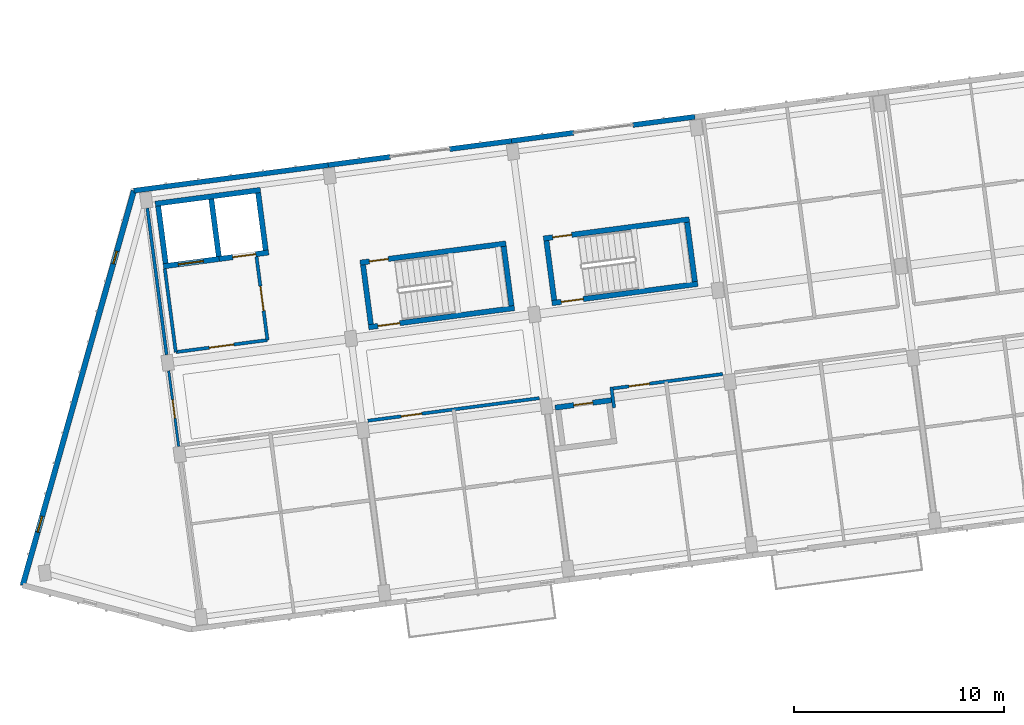
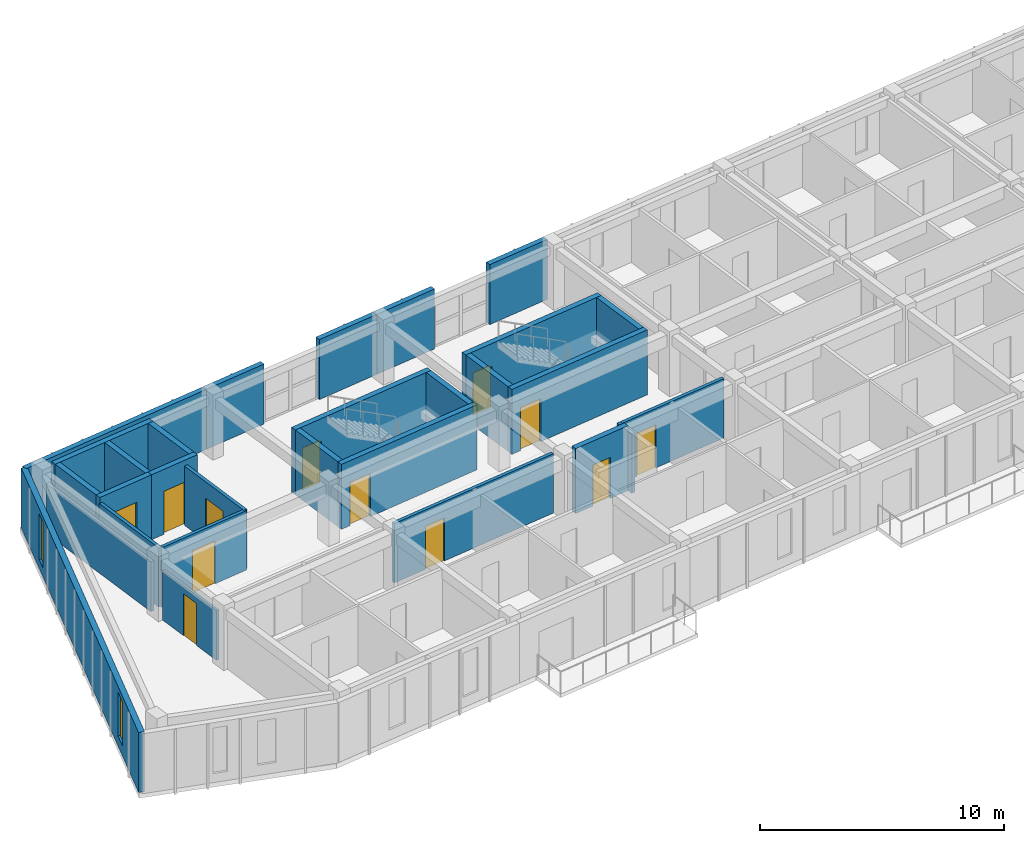
# One storey, part 22 of 68: 29 walls, 12 doors, 2 windows, 14 openings.
"""IFC4 building model written with IfcOpenShell, lengths in metres."""

from ifc_helpers import new_model, si_unit, direction, frame, frame_2d, origin, place, context, subcontext, project, spatial, rectangle, extrude, material, layer, layer_set, type_object, element, fill, save


model = new_model("IFC4")

# Units and contexts
model_context = context("Model", 3, precision=1e-05, world=origin(), true_north=direction((0.0, 1.0)))
body_context = subcontext(model_context, "Body", "Model", "MODEL_VIEW")
ifc_project = project(units=[si_unit("LENGTHUNIT", "METRE"), si_unit("AREAUNIT", "SQUARE_METRE"), si_unit("VOLUMEUNIT", "CUBIC_METRE"), si_unit("PLANEANGLEUNIT", "RADIAN"), si_unit("MASSUNIT", "GRAM", prefix="KILO")], contexts=[model_context])

# Site, building, storey
site_placement = place(None, origin())
site = spatial("IfcSite", under=ifc_project, at=site_placement, CompositionType="ELEMENT")
building_placement = place(site_placement, origin())
building = spatial("IfcBuilding", under=site, at=building_placement, Name="Kestramere Prow Commons", CompositionType="ELEMENT")
storey_placement = place(building_placement, frame((0.0, 0.0, 18.14990234375)))
storey = spatial("IfcBuildingStorey", under=building, at=storey_placement, Name="L05", CompositionType="ELEMENT", Elevation=18.14990234375)

# Wall, openings, windows
ifc_material_1 = material(Name="Weathered Zinc-Titanium Standing-Seam Cladding")
ifc_layer_1 = layer(ifc_material_1, 0.260009765625)
ifc_layer_set_1 = layer_set([ifc_layer_1], Name="Weathered Zinc-Titanium Standing-Seam Cladding")
wall_type_1 = type_object("IfcWallType", Name="EW-PROW-260", PredefinedType="SOLIDWALL", material=ifc_layer_set_1)
wall_1_placement = place(storey_placement, frame((2.7109375, 73.5048828125, 0.0), z_axis=(0.0, 0.0, 1.0), x_axis=(0.271165263368, 0.962532804606, 0.0)))
wall_1 = element("IfcWall", 1, at=wall_1_placement, inside=storey, type_object=wall_type_1, Name="Block A L05 PRW-N Facet Wall", PredefinedType="SOLIDWALL", context=body_context, shape_type="SweptSolid", body=[
    extrude(rectangle(XDim=19.5068359375, YDim=0.260009765625, at=frame_2d((9.75341796875, 0.0))), origin(), (0.0, 0.0, 1.0), 3.0),
])
opening_1_placement = place(wall_1_placement, frame((2.6298828125, 0.0, 0.52001953125)))
opening_1 = element("IfcOpeningElement", 2, at=opening_1_placement, cuts=wall_1, Name="Opening WN-11", PredefinedType="OPENING", context=body_context, shape_type="SweptSolid", body=[
    extrude(rectangle(XDim=0.780029296875, YDim=2.199951171875, at=frame_2d((0.39013671875, 1.10009765625))), frame((0.0, 0.14501953125, 0.0), z_axis=(0.0, -1.0, 0.0), x_axis=(1.0, 0.0, 0.0)), (0.0, 0.0, 1.0), 0.2900390625),
])
opening_2_placement = place(wall_1_placement, frame((15.89697265625, 0.0, 0.449951171875)))
opening_2 = element("IfcOpeningElement", 3, at=opening_2_placement, cuts=wall_1, Name="Opening WN-03", PredefinedType="OPENING", context=body_context, shape_type="SweptSolid", body=[
    extrude(rectangle(XDim=0.6201171875, YDim=2.280029296875, at=frame_2d((0.31005859375, 1.14013671875))), frame((0.0, 0.14501953125, 0.0), z_axis=(0.0, -1.0, 0.0), x_axis=(1.0, 0.0, 0.0)), (0.0, 0.0, 1.0), 0.2900390625),
])
ifc_material_2 = material(Name="Low-E Laminated Double Glazing", Category="glass")
window_type_1 = type_object("IfcWindowType", Name="WN-NAR-620A", PartitioningType="SINGLE_PANEL", PredefinedType="WINDOW", material=ifc_material_2)
window_1_placement = place(opening_2_placement, origin())
window_1 = element("IfcWindow", 4, at=window_1_placement, inside=storey, type_object=window_type_1, Name="WN-A-L05-PRW-N-1", OverallHeight=2.280029296875, OverallWidth=0.6201171875, PartitioningType="SINGLE_PANEL", PredefinedType="WINDOW", context=body_context, shape_type="SweptSolid", body=[
    extrude(rectangle(XDim=0.6201171875, YDim=2.280029296875, at=frame_2d((0.31005859375, 1.14013671875))), frame((0.0, 0.030029296875, 0.0), z_axis=(0.0, -1.0, 0.0), x_axis=(1.0, 0.0, 0.0)), (0.0, 0.0, 1.0), 0.06005859375),
])
fill(opening_2, window_1)
window_type_2 = type_object("IfcWindowType", Name="WN-NAR-780A", PartitioningType="SINGLE_PANEL", PredefinedType="WINDOW", material=ifc_material_2)
window_2_placement = place(opening_1_placement, origin())
window_2 = element("IfcWindow", 5, at=window_2_placement, inside=storey, type_object=window_type_2, Name="WN-A-L05-PRW-N-0", OverallHeight=2.199951171875, OverallWidth=0.780029296875, PartitioningType="SINGLE_PANEL", PredefinedType="WINDOW", context=body_context, shape_type="SweptSolid", body=[
    extrude(rectangle(XDim=0.780029296875, YDim=2.199951171875, at=frame_2d((0.39013671875, 1.10009765625))), frame((0.0, 0.030029296875, 0.0), z_axis=(0.0, -1.0, 0.0), x_axis=(1.0, 0.0, 0.0)), (0.0, 0.0, 1.0), 0.06005859375),
])
fill(opening_1, window_2)

# Walls
ifc_material_3 = material(Name="Fluoropolymer Standing-Seam Zinc-Aluminium Cladding", Category="aluminium")
ifc_layer_2 = layer(ifc_material_3, 0.239990234375)
ifc_layer_set_2 = layer_set([ifc_layer_2], Name="Fluoropolymer Standing-Seam Zinc-Aluminium Cladding")
wall_type_2 = type_object("IfcWallType", Name="EW-SEAM-240", PredefinedType="SOLIDWALL", material=ifc_layer_set_2)
wall_2_placement = place(storey_placement, frame((8.00048828125, 92.28076171875, 0.0), z_axis=(0.0, 0.0, 1.0), x_axis=(0.991442885224, 0.130541201693, 0.0)))
element("IfcWall", 6, at=wall_2_placement, inside=storey, type_object=wall_type_2, Name="Block A L05 North Standing-Seam Wall 1", PredefinedType="SOLIDWALL", context=body_context, shape_type="SweptSolid", body=[
    extrude(rectangle(XDim=9.324951171875, YDim=0.239990234375, at=frame_2d((4.66259765625, 0.0))), origin(), (0.0, 0.0, 1.0), 3.0),
])
for number, where, z_axis, x_axis, name in (
    (7, (17.24560546875, 93.498046875, 0.0), (0.0, 0.0, 1.0), (0.991451502252, 0.130475739826, 0.0), "Block A L05 North Standing-Seam Pier 2L"),
    (8, (23.020751953125, 94.25830078125, 0.0), (0.0, 0.0, 1.0), (0.991440883744, 0.130556401758, 0.0), "Block A L05 North Standing-Seam Pier 2R"),
):
    element("IfcWall", number, at=place(storey_placement, frame(where, z_axis=z_axis, x_axis=x_axis)), inside=storey, type_object=wall_type_2, Name=name, PredefinedType="SOLIDWALL", context=body_context, shape_type="SweptSolid", body=[
        extrude(rectangle(XDim=2.97509765625, YDim=0.239990234375, at=frame_2d((1.487548828125, 0.0))), origin(), (0.0, 0.0, 1.0), 3.0),
    ])
for number, where, z_axis, x_axis, name in (
    (9, (25.970458984375, 94.646728515625, 0.0), (0.0, 0.0, 1.0), (0.991450105095, 0.130486356022, 0.0), "Block A L05 North Standing-Seam Pier 3L"),
    (10, (31.74560546875, 95.406982421875, 0.0), (0.0, 0.0, 1.0), (0.991439484875, 0.130567024289, 0.0), "Block A L05 North Standing-Seam Pier 3R"),
):
    element("IfcWall", number, at=place(storey_placement, frame(where, z_axis=z_axis, x_axis=x_axis)), inside=storey, type_object=wall_type_2, Name=name, PredefinedType="SOLIDWALL", context=body_context, shape_type="SweptSolid", body=[
        extrude(rectangle(XDim=2.974853515625, YDim=0.239990234375, at=frame_2d((1.4873046875, 0.0))), origin(), (0.0, 0.0, 1.0), 3.0),
    ])
ifc_material_4 = material(Name="Concrete C40/50", Category="concrete")
ifc_layer_3 = layer(ifc_material_4, 0.25)
ifc_layer_set_3 = layer_set([ifc_layer_3], Name="Concrete C40/50")
wall_type_3 = type_object("IfcWallType", Name="W-CORE-250", PredefinedType="SHEAR", material=ifc_layer_set_3)
wall_3_placement = place(storey_placement, frame((9.015380859375, 91.657958984375, 0.0), z_axis=(0.0, 0.0, 1.0), x_axis=(0.991444419808, 0.130529546201, 0.0)))
element("IfcWall", 11, at=wall_3_placement, inside=storey, type_object=wall_type_3, Name="Block A L05 Lift Core Back Wall", PredefinedType="SHEAR", context=body_context, shape_type="SweptSolid", body=[
    extrude(rectangle(XDim=5.050048828125, YDim=0.25, at=frame_2d((2.52490234375, 0.0))), origin(), (0.0, 0.0, 1.0), 3.25),
])

# Wall, opening, door
wall_4_placement = place(storey_placement, frame((9.406982421875, 88.68359375, 0.0), z_axis=(0.0, 0.0, 1.0), x_axis=(0.991434713833, 0.130603247307, 0.0)))
wall_4 = element("IfcWall", 12, at=wall_4_placement, inside=storey, type_object=wall_type_3, Name="Block A L05 Fire Lift Shaft Front Wall", PredefinedType="SHEAR", context=body_context, shape_type="SweptSolid", body=[
    extrude(rectangle(XDim=2.675048828125, YDim=0.25, at=frame_2d((1.33740234375, 0.0))), origin(), (0.0, 0.0, 1.0), 3.25),
])
opening_3_placement = place(wall_4_placement, frame((0.719970703125, 0.0, 0.0)))
opening_3 = element("IfcOpeningElement", 13, at=opening_3_placement, cuts=wall_4, Name="Opening LD-02", PredefinedType="OPENING", context=body_context, shape_type="SweptSolid", body=[
    extrude(rectangle(XDim=1.199951171875, YDim=2.199951171875, at=frame_2d((0.60009765625, 1.10009765625))), frame((0.0, 0.139892578125, 0.0), z_axis=(0.0, -1.0, 0.0), x_axis=(1.0, 0.0, 0.0)), (0.0, 0.0, 1.0), 0.280029296875),
])
ifc_material_5 = material(Name="Brushed Stainless Steel 316", Category="steel")
door_type_1 = type_object("IfcDoorType", Name="LD-02", OperationType="DOUBLE_DOOR_SLIDING", PredefinedType="DOOR", material=ifc_material_5)
door_1_placement = place(opening_3_placement, origin())
door_1 = element("IfcDoor", 14, at=door_1_placement, inside=storey, type_object=door_type_1, Name="FL-A1 L05 Lift Landing Door", OperationType="DOUBLE_DOOR_SLIDING", OverallHeight=2.199951171875, OverallWidth=1.199951171875, PredefinedType="DOOR", context=body_context, shape_type="SweptSolid", body=[
    extrude(rectangle(XDim=1.199951171875, YDim=2.199951171875, at=frame_2d((0.60009765625, 1.10009765625))), frame((0.0, 0.02490234375, 0.0), z_axis=(0.0, -1.0, 0.0), x_axis=(1.0, 0.0, 0.0)), (0.0, 0.0, 1.0), 0.050048828125),
])
fill(opening_3, door_1)

wall_5_placement = place(storey_placement, frame((12.05908203125, 89.032958984375, 0.0), z_axis=(0.0, 0.0, 1.0), x_axis=(0.99145534515, 0.130446535303, 0.0)))
wall_5 = element("IfcWall", 15, at=wall_5_placement, inside=storey, type_object=wall_type_3, Name="Block A L05 Passenger Lift Shaft Front Wall", PredefinedType="SHEAR", context=body_context, shape_type="SweptSolid", body=[
    extrude(rectangle(XDim=2.375, YDim=0.25, at=frame_2d((1.1875, 0.0))), origin(), (0.0, 0.0, 1.0), 3.25),
])
opening_4_placement = place(wall_5_placement, frame((0.64990234375, 0.0, 0.0)))
opening_4 = element("IfcOpeningElement", 16, at=opening_4_placement, cuts=wall_5, Name="Opening LD-01", PredefinedType="OPENING", context=body_context, shape_type="SweptSolid", body=[
    extrude(rectangle(XDim=1.10009765625, YDim=2.14990234375, at=frame_2d((0.550048828125, 1.074951171875))), frame((0.0, 0.139892578125, 0.0), z_axis=(0.0, -1.0, 0.0), x_axis=(1.0, 0.0, 0.0)), (0.0, 0.0, 1.0), 0.280029296875),
])
ifc_material_6 = material(Name="Brushed Stainless Steel 304", Category="steel")
door_type_2 = type_object("IfcDoorType", Name="LD-01", OperationType="DOUBLE_DOOR_SLIDING", PredefinedType="DOOR", material=ifc_material_6)
door_2_placement = place(opening_4_placement, origin())
door_2 = element("IfcDoor", 17, at=door_2_placement, inside=storey, type_object=door_type_2, Name="PL-A2 L05 Lift Landing Door", OperationType="DOUBLE_DOOR_SLIDING", OverallHeight=2.14990234375, OverallWidth=1.10009765625, PredefinedType="DOOR", context=body_context, shape_type="SweptSolid", body=[
    extrude(rectangle(XDim=1.10009765625, YDim=2.14990234375, at=frame_2d((0.550048828125, 1.074951171875))), frame((0.0, 0.02490234375, 0.0), z_axis=(0.0, -1.0, 0.0), x_axis=(1.0, 0.0, 0.0)), (0.0, 0.0, 1.0), 0.050048828125),
])
fill(opening_4, door_2)

# Walls
for number, where, z_axis, x_axis, name in (
    (18, (9.5146484375, 88.823974609375, 0.0), (0.0, 0.0, 1.0), (-0.130500441374, 0.991448251197, 0.0), "Block A L05 Lift Core Side Wall L"),
    (19, (12.042724609375, 89.15673828125, 0.0), (0.0, 0.0, 1.0), (-0.130500441374, 0.991448251197, 0.0), "Block A L05 Lift Core Side Wall M"),
    (20, (14.2734375, 89.450439453125, 0.0), (0.0, 0.0, 1.0), (-0.130500441374, 0.991448251197, 0.0), "Block A L05 Lift Core Side Wall R"),
):
    element("IfcWall", number, at=place(storey_placement, frame(where, z_axis=z_axis, x_axis=x_axis)), inside=storey, type_object=wall_type_3, Name=name, PredefinedType="SHEAR", context=body_context, shape_type="SweptSolid", body=[
        extrude(rectangle(XDim=2.75, YDim=0.25, at=frame_2d((1.375, 0.0))), origin(), (0.0, 0.0, 1.0), 3.25),
    ])

# Wall, opening, door
wall_6_placement = place(storey_placement, frame((18.764404296875, 88.856689453125, 0.0), z_axis=(0.0, 0.0, 1.0), x_axis=(0.991447052715, 0.13050954625, 0.0)))
wall_6 = element("IfcWall", 21, at=wall_6_placement, inside=storey, type_object=wall_type_3, Name="ST-A1 L05 North Shaft Wall", PredefinedType="SHEAR", context=body_context, shape_type="SweptSolid", body=[
    extrude(rectangle(XDim=7.0, YDim=0.25, at=frame_2d((3.5, 0.0))), origin(), (0.0, 0.0, 1.0), 3.25),
])
opening_5_placement = place(wall_6_placement, frame((0.449951171875, 0.0, 0.0)))
opening_5 = element("IfcOpeningElement", 22, at=opening_5_placement, cuts=wall_6, Name="Opening ID-08", PredefinedType="OPENING", context=body_context, shape_type="SweptSolid", body=[
    extrude(rectangle(XDim=0.89990234375, YDim=2.10009765625, at=frame_2d((0.449951171875, 1.050048828125))), frame((0.0, 0.139892578125, 0.0), z_axis=(0.0, -1.0, 0.0), x_axis=(1.0, 0.0, 0.0)), (0.0, 0.0, 1.0), 0.280029296875),
])
ifc_material_7 = material(Name="Engineered Timber Flush Door", Category="wood")
door_type_3 = type_object("IfcDoorType", Name="D-RM-01", OperationType="NOTDEFINED", PredefinedType="DOOR", material=ifc_material_7)
door_3_placement = place(opening_5_placement, origin())
door_3 = element("IfcDoor", 23, at=door_3_placement, inside=storey, type_object=door_type_3, Name="ST-A1 L05 North Room Door", OperationType="SINGLE_SWING_RIGHT", OverallHeight=2.10009765625, OverallWidth=0.89990234375, PredefinedType="DOOR", context=body_context, shape_type="SweptSolid", body=[
    extrude(rectangle(XDim=0.89990234375, YDim=2.10009765625, at=frame_2d((0.449951171875, 1.050048828125))), frame((0.0, 0.02490234375, 0.0), z_axis=(0.0, -1.0, 0.0), x_axis=(1.0, 0.0, 0.0)), (0.0, 0.0, 1.0), 0.050048828125),
])
fill(opening_5, door_3)

wall_7_placement = place(storey_placement, frame((19.169189453125, 85.783203125, 0.0), z_axis=(0.0, 0.0, 1.0), x_axis=(0.991446458634, 0.130514059249, 0.0)))
wall_7 = element("IfcWall", 24, at=wall_7_placement, inside=storey, type_object=wall_type_3, Name="ST-A1 L05 Corridor Shaft Wall", PredefinedType="SHEAR", context=body_context, shape_type="SweptSolid", body=[
    extrude(rectangle(XDim=6.999755859375, YDim=0.25, at=frame_2d((3.5, 0.0))), origin(), (0.0, 0.0, 1.0), 3.25),
])
opening_6_placement = place(wall_7_placement, frame((0.449951171875, 0.0, 0.0)))
opening_6 = element("IfcOpeningElement", 25, at=opening_6_placement, cuts=wall_7, Name="Opening ID-01", PredefinedType="OPENING", context=body_context, shape_type="SweptSolid", body=[
    extrude(rectangle(XDim=1.050048828125, YDim=2.14990234375, at=frame_2d((0.52490234375, 1.074951171875))), frame((0.0, 0.139892578125, 0.0), z_axis=(0.0, -1.0, 0.0), x_axis=(1.0, 0.0, 0.0)), (0.0, 0.0, 1.0), 0.280029296875),
])
ifc_material_8 = material(Name="Fire-Rated Timber and Steel Frame", Category="steel")
door_type_4 = type_object("IfcDoorType", Name="FD-ST-01", OperationType="NOTDEFINED", PredefinedType="DOOR", material=ifc_material_8)
door_4_placement = place(opening_6_placement, origin())
door_4 = element("IfcDoor", 26, at=door_4_placement, inside=storey, type_object=door_type_4, Name="ST-A1 L05 Protected Stair Door", OperationType="SINGLE_SWING_RIGHT", OverallHeight=2.14990234375, OverallWidth=1.050048828125, PredefinedType="DOOR", context=body_context, shape_type="SweptSolid", body=[
    extrude(rectangle(XDim=1.050048828125, YDim=2.14990234375, at=frame_2d((0.52490234375, 1.074951171875))), frame((0.0, 0.02490234375, 0.0), z_axis=(0.0, -1.0, 0.0), x_axis=(1.0, 0.0, 0.0)), (0.0, 0.0, 1.0), 0.050048828125),
])
fill(opening_6, door_4)

# Walls
for number, where, z_axis, x_axis, name in (
    (27, (19.27685546875, 85.92333984375, 0.0), (0.0, 0.0, 1.0), (-0.130547578832, 0.991442045538, 0.0), "ST-A1 L05 Near Shaft Wall"),
    (28, (25.968994140625, 86.804443359375, 0.0), (0.0, 0.0, 1.0), (-0.130547578832, 0.991442045538, 0.0), "ST-A1 L05 Far Shaft Wall"),
):
    element("IfcWall", number, at=place(storey_placement, frame(where, z_axis=z_axis, x_axis=x_axis)), inside=storey, type_object=wall_type_3, Name=name, PredefinedType="SHEAR", context=body_context, shape_type="SweptSolid", body=[
        extrude(rectangle(XDim=2.85009765625, YDim=0.25, at=frame_2d((1.425048828125, 0.0))), origin(), (0.0, 0.0, 1.0), 3.25),
    ])

# Wall, opening, door
wall_8_placement = place(storey_placement, frame((27.4892578125, 90.005126953125, 0.0), z_axis=(0.0, 0.0, 1.0), x_axis=(0.991441944909, 0.130548343059, 0.0)))
wall_8 = element("IfcWall", 29, at=wall_8_placement, inside=storey, type_object=wall_type_3, Name="ST-A2 L05 North Shaft Wall", PredefinedType="SHEAR", context=body_context, shape_type="SweptSolid", body=[
    extrude(rectangle(XDim=6.999755859375, YDim=0.25, at=frame_2d((3.5, 0.0))), origin(), (0.0, 0.0, 1.0), 3.25),
])
opening_7_placement = place(wall_8_placement, frame((0.449951171875, 0.0, 0.0)))
opening_7 = element("IfcOpeningElement", 30, at=opening_7_placement, cuts=wall_8, Name="Opening ID-08", PredefinedType="OPENING", context=body_context, shape_type="SweptSolid", body=[
    extrude(rectangle(XDim=0.89990234375, YDim=2.10009765625, at=frame_2d((0.449951171875, 1.050048828125))), frame((0.0, 0.139892578125, 0.0), z_axis=(0.0, -1.0, 0.0), x_axis=(1.0, 0.0, 0.0)), (0.0, 0.0, 1.0), 0.280029296875),
])
door_5_placement = place(opening_7_placement, origin())
door_5 = element("IfcDoor", 31, at=door_5_placement, inside=storey, type_object=door_type_3, Name="ST-A2 L05 North Room Door", OperationType="SINGLE_SWING_RIGHT", OverallHeight=2.10009765625, OverallWidth=0.89990234375, PredefinedType="DOOR", context=body_context, shape_type="SweptSolid", body=[
    extrude(rectangle(XDim=0.89990234375, YDim=2.10009765625, at=frame_2d((0.449951171875, 1.050048828125))), frame((0.0, 0.02490234375, 0.0), z_axis=(0.0, -1.0, 0.0), x_axis=(1.0, 0.0, 0.0)), (0.0, 0.0, 1.0), 0.050048828125),
])
fill(opening_7, door_5)

wall_9_placement = place(storey_placement, frame((27.893798828125, 86.931640625, 0.0), z_axis=(0.0, 0.0, 1.0), x_axis=(0.991442539299, 0.130543828916, 0.0)))
wall_9 = element("IfcWall", 32, at=wall_9_placement, inside=storey, type_object=wall_type_3, Name="ST-A2 L05 Corridor Shaft Wall", PredefinedType="SHEAR", context=body_context, shape_type="SweptSolid", body=[
    extrude(rectangle(XDim=7.0, YDim=0.25, at=frame_2d((3.5, 0.0))), origin(), (0.0, 0.0, 1.0), 3.25),
])
opening_8_placement = place(wall_9_placement, frame((0.449951171875, 0.0, 0.0)))
opening_8 = element("IfcOpeningElement", 33, at=opening_8_placement, cuts=wall_9, Name="Opening ID-01", PredefinedType="OPENING", context=body_context, shape_type="SweptSolid", body=[
    extrude(rectangle(XDim=1.050048828125, YDim=2.14990234375, at=frame_2d((0.52490234375, 1.074951171875))), frame((0.0, 0.139892578125, 0.0), z_axis=(0.0, -1.0, 0.0), x_axis=(1.0, 0.0, 0.0)), (0.0, 0.0, 1.0), 0.280029296875),
])
door_6_placement = place(opening_8_placement, origin())
door_6 = element("IfcDoor", 34, at=door_6_placement, inside=storey, type_object=door_type_4, Name="ST-A2 L05 Protected Stair Door", OperationType="SINGLE_SWING_RIGHT", OverallHeight=2.14990234375, OverallWidth=1.050048828125, PredefinedType="DOOR", context=body_context, shape_type="SweptSolid", body=[
    extrude(rectangle(XDim=1.050048828125, YDim=2.14990234375, at=frame_2d((0.52490234375, 1.074951171875))), frame((0.0, 0.02490234375, 0.0), z_axis=(0.0, -1.0, 0.0), x_axis=(1.0, 0.0, 0.0)), (0.0, 0.0, 1.0), 0.050048828125),
])
fill(opening_8, door_6)

# Walls
wall_10_placement = place(storey_placement, frame((28.00146484375, 87.072021484375, 0.0), z_axis=(0.0, 0.0, 1.0), x_axis=(-0.130547578832, 0.991442045538, 0.0)))
element("IfcWall", 35, at=wall_10_placement, inside=storey, type_object=wall_type_3, Name="ST-A2 L05 Near Shaft Wall", PredefinedType="SHEAR", context=body_context, shape_type="SweptSolid", body=[
    extrude(rectangle(XDim=2.85009765625, YDim=0.25, at=frame_2d((1.425048828125, 0.0))), origin(), (0.0, 0.0, 1.0), 3.25),
])
wall_11_placement = place(storey_placement, frame((34.693603515625, 87.953125, 0.0), z_axis=(0.0, 0.0, 1.0), x_axis=(-0.130474457355, 0.991451671025, 0.0)))
element("IfcWall", 36, at=wall_11_placement, inside=storey, type_object=wall_type_3, Name="ST-A2 L05 Far Shaft Wall", PredefinedType="SHEAR", context=body_context, shape_type="SweptSolid", body=[
    extrude(rectangle(XDim=2.849853515625, YDim=0.25, at=frame_2d((1.4248046875, 0.0))), origin(), (0.0, 0.0, 1.0), 3.25),
])

# Wall, opening, door
ifc_material_9 = material(Name="Fire-Rated Calcium Silicate Wall")
ifc_layer_4 = layer(ifc_material_9, 0.155029296875)
ifc_layer_set_4 = layer_set([ifc_layer_4], Name="Fire-Rated Calcium Silicate Wall")
wall_type_4 = type_object("IfcWallType", Name="W-FIRE-150", PredefinedType="PARTITIONING", material=ifc_layer_set_4)
wall_12_placement = place(storey_placement, frame((9.994873046875, 84.6005859375, 0.0), z_axis=(0.0, 0.0, 1.0), x_axis=(0.991448440179, 0.130499005613, 0.0)))
wall_12 = element("IfcWall", 37, at=wall_12_placement, inside=storey, type_object=wall_type_4, Name="Interior Partition PW-A-L05-FFL-S", PredefinedType="PARTITIONING", context=body_context, shape_type="SweptSolid", body=[
    extrude(rectangle(XDim=4.400146484375, YDim=0.155029296875, at=frame_2d((2.2001953125, 0.0))), origin(), (0.0, 0.0, 1.0), 2.97021484375),
])
opening_9_placement = place(wall_12_placement, frame((1.60009765625, 0.0, 0.0)))
opening_9 = element("IfcOpeningElement", 38, at=opening_9_placement, cuts=wall_12, Name="Opening ID-03", PredefinedType="OPENING", context=body_context, shape_type="SweptSolid", body=[
    extrude(rectangle(XDim=1.179931640625, YDim=2.14990234375, at=frame_2d((0.58984375, 1.074951171875))), frame((0.0, 0.092529296875, 0.0), z_axis=(0.0, -1.0, 0.0), x_axis=(1.0, 0.0, 0.0)), (0.0, 0.0, 1.0), 0.18505859375),
])
ifc_material_10 = material(Name="Fire-Rated Glazed Smoke-Stop Door")
door_type_5 = type_object("IfcDoorType", Name="FD-LB-01", OperationType="NOTDEFINED", PredefinedType="DOOR", material=ifc_material_10)
door_7_placement = place(opening_9_placement, origin())
door_7 = element("IfcDoor", 39, at=door_7_placement, inside=storey, type_object=door_type_5, Name="Interior Door DR-A-L05-FFL", OperationType="SINGLE_SWING_RIGHT", OverallHeight=2.14990234375, OverallWidth=1.179931640625, PredefinedType="DOOR", context=body_context, shape_type="SweptSolid", body=[
    extrude(rectangle(XDim=1.179931640625, YDim=2.14990234375, at=frame_2d((0.58984375, 1.074951171875))), frame((0.0, 0.02490234375, 0.0), z_axis=(0.0, -1.0, 0.0), x_axis=(1.0, 0.0, 0.0)), (0.0, 0.0, 1.0), 0.050048828125),
])
fill(opening_9, door_7)

# Wall
wall_13_placement = place(storey_placement, frame((9.994873046875, 84.6005859375, 0.0), z_axis=(0.0, 0.0, 1.0), x_axis=(-0.130492404742, 0.991449308994, 0.0)))
element("IfcWall", 40, at=wall_13_placement, inside=storey, type_object=wall_type_4, Name="Interior Partition PW-A-L05-FFL-W", PredefinedType="PARTITIONING", context=body_context, shape_type="SweptSolid", body=[
    extrude(rectangle(XDim=4.0, YDim=0.155029296875, at=frame_2d((2.0, 0.0))), origin(), (0.0, 0.0, 1.0), 2.97021484375),
])

# Wall, opening, door
wall_14_placement = place(storey_placement, frame((14.357421875, 85.1748046875, 0.0), z_axis=(0.0, 0.0, 1.0), x_axis=(-0.130552399509, 0.991441410766, 0.0)))
wall_14 = element("IfcWall", 41, at=wall_14_placement, inside=storey, type_object=wall_type_4, Name="Interior Partition PW-A-L05-FFL-E", PredefinedType="PARTITIONING", context=body_context, shape_type="SweptSolid", body=[
    extrude(rectangle(XDim=4.0, YDim=0.155029296875, at=frame_2d((2.0, 0.0))), origin(), (0.0, 0.0, 1.0), 2.97021484375),
])
opening_10_placement = place(wall_14_placement, frame((1.39990234375, 0.0, 0.0)))
opening_10 = element("IfcOpeningElement", 42, at=opening_10_placement, cuts=wall_14, Name="Opening ID-03", PredefinedType="OPENING", context=body_context, shape_type="SweptSolid", body=[
    extrude(rectangle(XDim=1.179931640625, YDim=2.14990234375, at=frame_2d((0.58984375, 1.074951171875))), frame((0.0, 0.092529296875, 0.0), z_axis=(0.0, -1.0, 0.0), x_axis=(1.0, 0.0, 0.0)), (0.0, 0.0, 1.0), 0.18505859375),
])
door_8_placement = place(opening_10_placement, origin())
door_8 = element("IfcDoor", 43, at=door_8_placement, inside=storey, type_object=door_type_5, Name="Interior Door DR-A-L05-FFL-PL", OperationType="SINGLE_SWING_LEFT", OverallHeight=2.14990234375, OverallWidth=1.179931640625, PredefinedType="DOOR", context=body_context, shape_type="SweptSolid", body=[
    extrude(rectangle(XDim=1.179931640625, YDim=2.14990234375, at=frame_2d((0.58984375, 1.074951171875))), frame((0.0, 0.02490234375, 0.0), z_axis=(0.0, -1.0, 0.0), x_axis=(1.0, 0.0, 0.0)), (0.0, 0.0, 1.0), 0.050048828125),
])
fill(opening_10, door_8)

wall_15_placement = place(storey_placement, frame((19.13427734375, 81.33544921875, 0.0), z_axis=(0.0, 0.0, 1.0), x_axis=(0.991445206002, 0.130523574484, 0.0)))
wall_15 = element("IfcWall", 44, at=wall_15_placement, inside=storey, type_object=wall_type_4, Name="Interior Partition PW-A-L05-CS-1", PredefinedType="PARTITIONING", context=body_context, shape_type="SweptSolid", body=[
    extrude(rectangle(XDim=8.22998046875, YDim=0.155029296875, at=frame_2d((4.114990234375, 0.0))), origin(), (0.0, 0.0, 1.0), 2.97021484375),
])
opening_11_placement = place(wall_15_placement, frame((1.60498046875, 0.0, 0.0)))
opening_11 = element("IfcOpeningElement", 45, at=opening_11_placement, cuts=wall_15, Name="Opening ID-04", PredefinedType="OPENING", context=body_context, shape_type="SweptSolid", body=[
    extrude(rectangle(XDim=0.97998046875, YDim=2.14990234375, at=frame_2d((0.489990234375, 1.074951171875))), frame((0.0, 0.092529296875, 0.0), z_axis=(0.0, -1.0, 0.0), x_axis=(1.0, 0.0, 0.0)), (0.0, 0.0, 1.0), 0.18505859375),
])
ifc_material_11 = material(Name="Hardwood Fire-Rated Flat Entrance Door", Category="wood")
door_type_6 = type_object("IfcDoorType", Name="FD-ENT-01", OperationType="NOTDEFINED", PredefinedType="DOOR", material=ifc_material_11)
door_9_placement = place(opening_11_placement, origin())
door_9 = element("IfcDoor", 46, at=door_9_placement, inside=storey, type_object=door_type_6, Name="Interior Door DR-A-L05-ENT-S1", OperationType="SINGLE_SWING_LEFT", OverallHeight=2.14990234375, OverallWidth=0.97998046875, PredefinedType="DOOR", context=body_context, shape_type="SweptSolid", body=[
    extrude(rectangle(XDim=0.97998046875, YDim=2.14990234375, at=frame_2d((0.489990234375, 1.074951171875))), frame((0.0, 0.02490234375, 0.0), z_axis=(0.0, -1.0, 0.0), x_axis=(1.0, 0.0, 0.0)), (0.0, 0.0, 1.0), 0.050048828125),
])
fill(opening_11, door_9)

# Wall
wall_16_placement = place(storey_placement, frame((30.849365234375, 81.949951171875, 0.0), z_axis=(0.0, 0.0, 1.0), x_axis=(-0.13055608231, 0.99144092581, 0.0)))
element("IfcWall", 47, at=wall_16_placement, inside=storey, type_object=wall_type_4, Name="Interior Partition PW-A-L05-HS-CLOSER", PredefinedType="PARTITIONING", context=body_context, shape_type="SweptSolid", body=[
    extrude(rectangle(XDim=0.994873046875, YDim=0.155029296875, at=frame_2d((0.49755859375, 0.0))), origin(), (0.0, 0.0, 1.0), 2.97021484375),
])

# Wall, opening, door
wall_17_placement = place(storey_placement, frame((30.80859375, 82.87255859375, 0.0), z_axis=(0.0, 0.0, 1.0), x_axis=(0.991447652655, 0.130504988581, 0.0)))
wall_17 = element("IfcWall", 48, at=wall_17_placement, inside=storey, type_object=wall_type_4, Name="Interior Partition PW-A-L05-CS-2", PredefinedType="PARTITIONING", context=body_context, shape_type="SweptSolid", body=[
    extrude(rectangle(XDim=5.2548828125, YDim=0.155029296875, at=frame_2d((2.62744140625, 0.0))), origin(), (0.0, 0.0, 1.0), 2.97021484375),
])
opening_12_placement = place(wall_17_placement, frame((0.758056640625, 0.0, 0.0)))
opening_12 = element("IfcOpeningElement", 49, at=opening_12_placement, cuts=wall_17, Name="Opening ID-04", PredefinedType="OPENING", context=body_context, shape_type="SweptSolid", body=[
    extrude(rectangle(XDim=0.97998046875, YDim=2.14990234375, at=frame_2d((0.489990234375, 1.074951171875))), frame((0.0, 0.092529296875, 0.0), z_axis=(0.0, -1.0, 0.0), x_axis=(1.0, 0.0, 0.0)), (0.0, 0.0, 1.0), 0.18505859375),
])
door_10_placement = place(opening_12_placement, origin())
door_10 = element("IfcDoor", 50, at=door_10_placement, inside=storey, type_object=door_type_6, Name="Interior Door DR-A-L05-ENT-S2", OperationType="SINGLE_SWING_RIGHT", OverallHeight=2.14990234375, OverallWidth=0.97998046875, PredefinedType="DOOR", context=body_context, shape_type="SweptSolid", body=[
    extrude(rectangle(XDim=0.97998046875, YDim=2.14990234375, at=frame_2d((0.489990234375, 1.074951171875))), frame((0.0, 0.02490234375, 0.0), z_axis=(0.0, -1.0, 0.0), x_axis=(1.0, 0.0, 0.0)), (0.0, 0.0, 1.0), 0.050048828125),
])
fill(opening_12, door_10)

ifc_layer_5 = layer(ifc_material_4, 0.25)
ifc_layer_set_5 = layer_set([ifc_layer_5], Name="Concrete C40/50")
wall_type_5 = type_object("IfcWallType", Name="W-HS-250", PredefinedType="SHEAR", material=ifc_layer_set_5)
wall_18_placement = place(storey_placement, frame((28.044189453125, 81.958740234375, 0.0), z_axis=(0.0, 0.0, 1.0), x_axis=(0.991439824936, 0.130564442062, 0.0)))
wall_18 = element("IfcWall", 51, at=wall_18_placement, inside=storey, type_object=wall_type_5, Name="Block A L05 Household Shelter North Wall", PredefinedType="SHEAR", context=body_context, shape_type="SweptSolid", body=[
    extrude(rectangle(XDim=2.7001953125, YDim=0.25, at=frame_2d((1.35009765625, 0.0))), origin(), (0.0, 0.0, 1.0), 3.25),
])
opening_13_placement = place(wall_18_placement, frame((0.89990234375, 0.0, 0.0)))
opening_13 = element("IfcOpeningElement", 52, at=opening_13_placement, cuts=wall_18, Name="Opening ID-06", PredefinedType="OPENING", context=body_context, shape_type="SweptSolid", body=[
    extrude(rectangle(XDim=0.89990234375, YDim=2.050048828125, at=frame_2d((0.449951171875, 1.02490234375))), frame((0.0, 0.139892578125, 0.0), z_axis=(0.0, -1.0, 0.0), x_axis=(1.0, 0.0, 0.0)), (0.0, 0.0, 1.0), 0.280029296875),
])
ifc_material_12 = material(Name="Galvanised Steel S275JR Household Shelter Door", Category="steel")
door_type_7 = type_object("IfcDoorType", Name="FD-HS-01", OperationType="NOTDEFINED", PredefinedType="DOOR", material=ifc_material_12)
door_11_placement = place(opening_13_placement, origin())
door_11 = element("IfcDoor", 53, at=door_11_placement, inside=storey, type_object=door_type_7, Name="Block A L05 Household Shelter Blast Door", OperationType="SINGLE_SWING_LEFT", OverallHeight=2.050048828125, OverallWidth=0.89990234375, PredefinedType="DOOR", context=body_context, shape_type="SweptSolid", body=[
    extrude(rectangle(XDim=0.89990234375, YDim=2.050048828125, at=frame_2d((0.449951171875, 1.02490234375))), frame((0.0, 0.02490234375, 0.0), z_axis=(0.0, -1.0, 0.0), x_axis=(1.0, 0.0, 0.0)), (0.0, 0.0, 1.0), 0.050048828125),
])
fill(opening_13, door_11)

ifc_material_13 = material(Name="Lightweight Blockwork and Plaster", Category="masonry")
ifc_layer_6 = layer(ifc_material_13, 0.1201171875)
ifc_layer_set_6 = layer_set([ifc_layer_6], Name="Lightweight Blockwork and Plaster")
wall_type_6 = type_object("IfcWallType", Name="W-PART-120", PredefinedType="PARTITIONING", material=ifc_layer_set_6)
wall_19_placement = place(storey_placement, frame((10.131591796875, 80.114990234375, 0.0), z_axis=(0.0, 0.0, 1.0), x_axis=(-0.130546722025, 0.991442158357, 0.0)))
wall_19 = element("IfcWall", 54, at=wall_19_placement, inside=storey, type_object=wall_type_6, Name="Interior Partition PW-A-L05-PROW-ACC", PredefinedType="PARTITIONING", context=body_context, shape_type="SweptSolid", body=[
    extrude(rectangle(XDim=3.6298828125, YDim=0.1201171875, at=frame_2d((1.81494140625, 0.0))), origin(), (0.0, 0.0, 1.0), 2.5),
])
opening_14_placement = place(wall_19_placement, frame((1.35009765625, 0.0, 0.0)))
opening_14 = element("IfcOpeningElement", 55, at=opening_14_placement, cuts=wall_19, Name="Opening ID-10", PredefinedType="OPENING", context=body_context, shape_type="SweptSolid", body=[
    extrude(rectangle(XDim=0.8798828125, YDim=2.10009765625, at=frame_2d((0.43994140625, 1.050048828125))), frame((0.0, 0.074951171875, 0.0), z_axis=(0.0, -1.0, 0.0), x_axis=(1.0, 0.0, 0.0)), (0.0, 0.0, 1.0), 0.150146484375),
])
ifc_material_14 = material(Name="Engineered Timber Bedroom Door", Category="wood")
door_type_8 = type_object("IfcDoorType", Name="D-RM-03", OperationType="NOTDEFINED", PredefinedType="DOOR", material=ifc_material_14)
door_12_placement = place(opening_14_placement, origin())
door_12 = element("IfcDoor", 56, at=door_12_placement, inside=storey, type_object=door_type_8, Name="Interior Door DR-A-L05-PROW", OperationType="SINGLE_SWING_LEFT", OverallHeight=2.10009765625, OverallWidth=0.8798828125, PredefinedType="DOOR", context=body_context, shape_type="SweptSolid", body=[
    extrude(rectangle(XDim=0.8798828125, YDim=2.10009765625, at=frame_2d((0.43994140625, 1.050048828125))), frame((0.0, 0.02490234375, 0.0), z_axis=(0.0, -1.0, 0.0), x_axis=(1.0, 0.0, 0.0)), (0.0, 0.0, 1.0), 0.050048828125),
])
fill(opening_14, door_12)

# Wall
ifc_material_15 = material(Name="Masonry Compartment Wall", Category="masonry")
ifc_layer_7 = layer(ifc_material_15, 0.14990234375)
ifc_layer_set_7 = layer_set([ifc_layer_7], Name="Masonry Compartment Wall")
wall_type_7 = type_object("IfcWallType", Name="W-PART-150", PredefinedType="PARTITIONING", material=ifc_layer_set_7)
wall_20_placement = place(storey_placement, frame((9.557373046875, 84.477294921875, 0.0), z_axis=(0.0, 0.0, 1.0), x_axis=(-0.130541650614, 0.991442826115, 0.0)))
element("IfcWall", 57, at=wall_20_placement, inside=storey, type_object=wall_type_7, Name="Interior Partition PW-A-L05-PRW-N", PredefinedType="PARTITIONING", context=body_context, shape_type="SweptSolid", body=[
    extrude(rectangle(XDim=7.030029296875, YDim=0.14990234375, at=frame_2d((3.51513671875, 0.0))), origin(), (0.0, 0.0, 1.0), 2.5),
])

save(model, "model.ifc")
